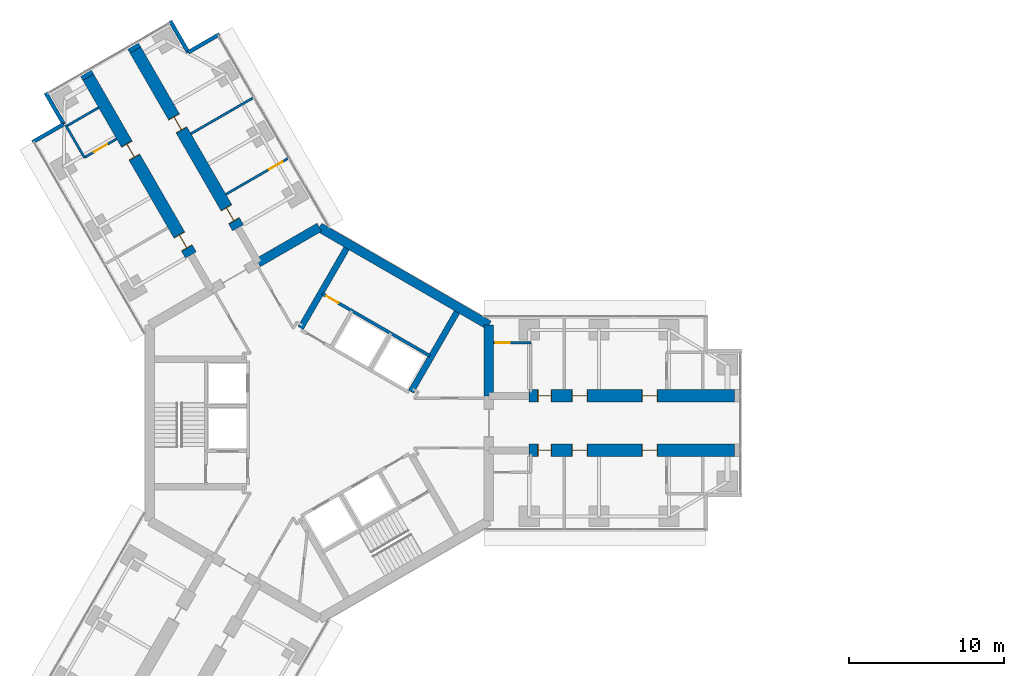
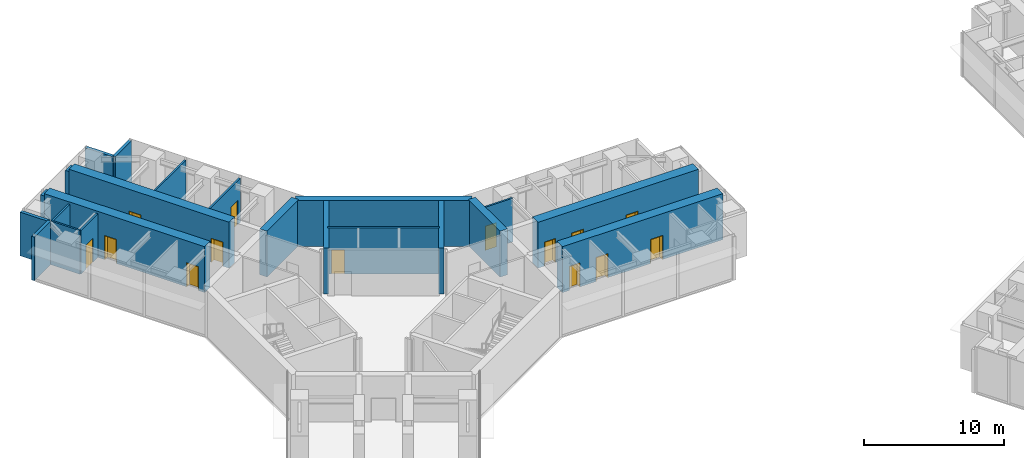
# One storey, part 17 of 22: 22 walls, 14 doors, 14 openings.
"""IFC4 building model written with IfcOpenShell, lengths in metres."""

from ifc_helpers import new_model, si_unit, direction, frame, frame_2d, origin, place, context, subcontext, project, spatial, rectangle, extrude, material, layer, layer_set, type_object, element, fill, save


model = new_model("IFC4")

# Units and contexts
model_context = context("Model", 3, precision=1e-05, world=origin(), true_north=direction((0.0, 1.0)))
body_context = subcontext(model_context, "Body", "Model", "MODEL_VIEW")
ifc_project = project(units=[si_unit("LENGTHUNIT", "METRE"), si_unit("AREAUNIT", "SQUARE_METRE"), si_unit("VOLUMEUNIT", "CUBIC_METRE"), si_unit("PLANEANGLEUNIT", "RADIAN"), si_unit("MASSUNIT", "GRAM", prefix="KILO")], contexts=[model_context])

# Site, building, storey
site_placement = place(None, origin())
site = spatial("IfcSite", under=ifc_project, at=site_placement, CompositionType="ELEMENT")
building_placement = place(site_placement, origin())
building = spatial("IfcBuilding", under=site, at=building_placement, Name="Upepo Twin Towers", CompositionType="ELEMENT")
storey_placement = place(building_placement, frame((0.0, 0.0, 129.5)))
storey = spatial("IfcBuildingStorey", under=building, at=storey_placement, Name="L31", CompositionType="ELEMENT", Elevation=129.5)

# Walls
ifc_material_1 = material(Name="Dense concrete blockwork", Category="masonry")
ifc_layer_1 = layer(ifc_material_1, 0.800048828125)
ifc_layer_set_1 = layer_set([ifc_layer_1], Name="Buttress closer 800, blockwork with fire-stopping to the curtain wall")
wall_type_1 = type_object("IfcWallType", Name="Buttress closer 800, blockwork with fire-stopping to the curtain wall", PredefinedType="PARTITIONING", material=ifc_layer_set_1)
wall_1_placement = place(storey_placement, frame((-14.865478515625, 22.247802734375, 0.0), z_axis=(0.0, 0.0, 1.0), x_axis=(-0.500426713919, 0.865778900179, 0.0)))
element("IfcWall", 1, at=wall_1_placement, inside=storey, type_object=wall_type_1, Name="T1 L31 wing B buttress closer L", PredefinedType="PARTITIONING", context=body_context, shape_type="SweptSolid", body=[
    extrude(rectangle(XDim=0.300048828125, YDim=0.800048828125, at=frame_2d((0.14990234375, 0.0))), origin(), (0.0, 0.0, 1.0), 3.800048828125),
])
wall_2_placement = place(storey_placement, frame((-11.83447265625, 23.997802734375, 0.0), z_axis=(0.0, 0.0, 1.0), x_axis=(-0.499816412211, 0.866131372301, 0.0)))
element("IfcWall", 2, at=wall_2_placement, inside=storey, type_object=wall_type_1, Name="T1 L31 wing B buttress closer R", PredefinedType="PARTITIONING", context=body_context, shape_type="SweptSolid", body=[
    extrude(rectangle(XDim=0.2998046875, YDim=0.800048828125, at=frame_2d((0.14990234375, 0.0))), origin(), (0.0, 0.0, 1.0), 3.800048828125),
])

# Wall, openings, doors
ifc_material_2 = material(Name="Concrete C60/75", Category="concrete")
ifc_layer_2 = layer(ifc_material_2, 0.800048828125)
ifc_layer_set_2 = layer_set([ifc_layer_2], Name="Concrete C60/75")
wall_type_2 = type_object("IfcWallType", Name="Buttress wall 800 RC", PredefinedType="SHEAR", material=ifc_layer_set_2)
wall_3_placement = place(storey_placement, frame((13.5, 1.75, 0.0), z_axis=(0.0, 0.0, 1.0), x_axis=(1.0, 0.0, 0.0)))
wall_3 = element("IfcWall", 3, at=wall_3_placement, inside=storey, type_object=wall_type_2, Name="T1 wing A buttress wall L part 2", PredefinedType="SHEAR", context=body_context, shape_type="SweptSolid", body=[
    extrude(rectangle(XDim=13.199951171875, YDim=0.800048828125, at=frame_2d((6.60009765625, 0.0))), origin(), (0.0, 0.0, 1.0), 4.0),
])
opening_1_placement = place(wall_3_placement, frame((0.550048828125, 0.0, 0.0)))
opening_1 = element("IfcOpeningElement", 4, at=opening_1_placement, cuts=wall_3, Name="Opening D11", PredefinedType="OPENING", context=body_context, shape_type="SweptSolid", body=[
    extrude(rectangle(XDim=0.89990234375, YDim=2.10009765625, at=frame_2d((0.449951171875, 1.050048828125))), frame((0.0, 0.409912109375, 0.0), z_axis=(0.0, -1.0, 0.0), x_axis=(1.0, 0.0, 0.0)), (0.0, 0.0, 1.0), 0.820068359375),
])
opening_2_placement = place(wall_3_placement, frame((2.75, 0.0, 0.0)))
opening_2 = element("IfcOpeningElement", 5, at=opening_2_placement, cuts=wall_3, Name="Opening D1", PredefinedType="OPENING", context=body_context, shape_type="SweptSolid", body=[
    extrude(rectangle(XDim=1.0, YDim=2.10009765625, at=frame_2d((0.5, 1.050048828125))), frame((0.0, 0.409912109375, 0.0), z_axis=(0.0, -1.0, 0.0), x_axis=(1.0, 0.0, 0.0)), (0.0, 0.0, 1.0), 0.820068359375),
])
opening_3_placement = place(wall_3_placement, frame((7.25, 0.0, 0.0)))
opening_3 = element("IfcOpeningElement", 6, at=opening_3_placement, cuts=wall_3, Name="Opening D1", PredefinedType="OPENING", context=body_context, shape_type="SweptSolid", body=[
    extrude(rectangle(XDim=1.0, YDim=2.10009765625, at=frame_2d((0.5, 1.050048828125))), frame((0.0, 0.409912109375, 0.0), z_axis=(0.0, -1.0, 0.0), x_axis=(1.0, 0.0, 0.0)), (0.0, 0.0, 1.0), 0.820068359375),
])
ifc_material_3 = material(Name="Timber doorset", Category="wood")
door_type_1 = type_object("IfcDoorType", Name="Room door 1000 FD30", OperationType="SINGLE_SWING_LEFT", PredefinedType="DOOR", material=ifc_material_3)
door_1_placement = place(opening_2_placement, origin())
door_1 = element("IfcDoor", 7, at=door_1_placement, inside=storey, type_object=door_type_1, Name="T1 L31 research laboratory door", OperationType="SINGLE_SWING_LEFT", OverallHeight=2.10009765625, OverallWidth=1.0, PredefinedType="DOOR", context=body_context, shape_type="SweptSolid", body=[
    extrude(rectangle(XDim=0.92, YDim=2.06009765625, at=frame_2d((0.5, 1.030029296875))), frame((0.0, 0.02490234375, 0.0), z_axis=(0.0, -1.0, 0.0), x_axis=(1.0, 0.0, 0.0)), (0.0, 0.0, 1.0), 0.050048828125),
    extrude(rectangle(XDim=0.04, YDim=2.10009765625, at=frame_2d((0.02001953125, 1.050048828125))), frame((0.0, 0.39990234375, 0.0), z_axis=(0.0, -1.0, 0.0), x_axis=(1.0, 0.0, 0.0)), (0.0, 0.0, 1.0), 0.799560546875),
    extrude(rectangle(XDim=0.04, YDim=2.10009765625, at=frame_2d((0.97998046875, 1.050048828125))), frame((0.0, 0.39990234375, 0.0), z_axis=(0.0, -1.0, 0.0), x_axis=(1.0, 0.0, 0.0)), (0.0, 0.0, 1.0), 0.799560546875),
    extrude(rectangle(XDim=0.92, YDim=0.04, at=frame_2d((0.5, 2.080078125))), frame((0.0, 0.39990234375, 0.0), z_axis=(0.0, -1.0, 0.0), x_axis=(1.0, 0.0, 0.0)), (0.0, 0.0, 1.0), 0.799560546875),
])
fill(opening_2, door_1)
door_2_placement = place(opening_3_placement, origin())
door_2 = element("IfcDoor", 8, at=door_2_placement, inside=storey, type_object=door_type_1, Name="T1 L31 research laboratory door", OperationType="SINGLE_SWING_RIGHT", OverallHeight=2.10009765625, OverallWidth=1.0, PredefinedType="DOOR", context=body_context, shape_type="SweptSolid", body=[
    extrude(rectangle(XDim=0.92, YDim=2.06009765625, at=frame_2d((0.5, 1.030029296875))), frame((0.0, 0.02490234375, 0.0), z_axis=(0.0, -1.0, 0.0), x_axis=(1.0, 0.0, 0.0)), (0.0, 0.0, 1.0), 0.050048828125),
    extrude(rectangle(XDim=0.04, YDim=2.10009765625, at=frame_2d((0.02001953125, 1.050048828125))), frame((0.0, 0.39990234375, 0.0), z_axis=(0.0, -1.0, 0.0), x_axis=(1.0, 0.0, 0.0)), (0.0, 0.0, 1.0), 0.799560546875),
    extrude(rectangle(XDim=0.04, YDim=2.10009765625, at=frame_2d((0.97998046875, 1.050048828125))), frame((0.0, 0.39990234375, 0.0), z_axis=(0.0, -1.0, 0.0), x_axis=(1.0, 0.0, 0.0)), (0.0, 0.0, 1.0), 0.799560546875),
    extrude(rectangle(XDim=0.92, YDim=0.04, at=frame_2d((0.5, 2.080078125))), frame((0.0, 0.39990234375, 0.0), z_axis=(0.0, -1.0, 0.0), x_axis=(1.0, 0.0, 0.0)), (0.0, 0.0, 1.0), 0.799560546875),
])
fill(opening_3, door_2)
ifc_material_4 = material(Name="Timber doorset", Category="wood")
door_type_2 = type_object("IfcDoorType", Name="Toilet door 900", OperationType="SINGLE_SWING_LEFT", PredefinedType="DOOR", material=ifc_material_4)
door_3_placement = place(opening_1_placement, origin())
door_3 = element("IfcDoor", 9, at=door_3_placement, inside=storey, type_object=door_type_2, Name="T1 L31 accessible wc door", OperationType="SINGLE_SWING_LEFT", OverallHeight=2.10009765625, OverallWidth=0.89990234375, PredefinedType="DOOR", context=body_context, shape_type="SweptSolid", body=[
    extrude(rectangle(XDim=0.81990234375, YDim=2.06009765625, at=frame_2d((0.449951171875, 1.030029296875))), frame((0.0, 0.02490234375, 0.0), z_axis=(0.0, -1.0, 0.0), x_axis=(1.0, 0.0, 0.0)), (0.0, 0.0, 1.0), 0.050048828125),
    extrude(rectangle(XDim=0.04, YDim=2.10009765625, at=frame_2d((0.02001953125, 1.050048828125))), frame((0.0, 0.39990234375, 0.0), z_axis=(0.0, -1.0, 0.0), x_axis=(1.0, 0.0, 0.0)), (0.0, 0.0, 1.0), 0.799560546875),
    extrude(rectangle(XDim=0.04, YDim=2.10009765625, at=frame_2d((0.8798828125, 1.050048828125))), frame((0.0, 0.39990234375, 0.0), z_axis=(0.0, -1.0, 0.0), x_axis=(1.0, 0.0, 0.0)), (0.0, 0.0, 1.0), 0.799560546875),
    extrude(rectangle(XDim=0.81990234375, YDim=0.04, at=frame_2d((0.449951171875, 2.080078125))), frame((0.0, 0.39990234375, 0.0), z_axis=(0.0, -1.0, 0.0), x_axis=(1.0, 0.0, 0.0)), (0.0, 0.0, 1.0), 0.799560546875),
])
fill(opening_1, door_3)

wall_4_placement = place(storey_placement, frame((13.5, -1.75, 0.0), z_axis=(0.0, 0.0, 1.0), x_axis=(1.0, 0.0, 0.0)))
wall_4 = element("IfcWall", 10, at=wall_4_placement, inside=storey, type_object=wall_type_2, Name="T1 wing A buttress wall R part 2", PredefinedType="SHEAR", context=body_context, shape_type="SweptSolid", body=[
    extrude(rectangle(XDim=13.199951171875, YDim=0.800048828125, at=frame_2d((6.60009765625, 0.0))), origin(), (0.0, 0.0, 1.0), 4.0),
])
opening_4_placement = place(wall_4_placement, frame((0.550048828125, 0.0, 0.0)))
opening_4 = element("IfcOpeningElement", 11, at=opening_4_placement, cuts=wall_4, Name="Opening D11", PredefinedType="OPENING", context=body_context, shape_type="SweptSolid", body=[
    extrude(rectangle(XDim=0.89990234375, YDim=2.10009765625, at=frame_2d((0.449951171875, 1.050048828125))), frame((0.0, 0.409912109375, 0.0), z_axis=(0.0, -1.0, 0.0), x_axis=(1.0, 0.0, 0.0)), (0.0, 0.0, 1.0), 0.820068359375),
])
opening_5_placement = place(wall_4_placement, frame((2.75, 0.0, 0.0)))
opening_5 = element("IfcOpeningElement", 12, at=opening_5_placement, cuts=wall_4, Name="Opening D1", PredefinedType="OPENING", context=body_context, shape_type="SweptSolid", body=[
    extrude(rectangle(XDim=1.0, YDim=2.10009765625, at=frame_2d((0.5, 1.050048828125))), frame((0.0, 0.409912109375, 0.0), z_axis=(0.0, -1.0, 0.0), x_axis=(1.0, 0.0, 0.0)), (0.0, 0.0, 1.0), 0.820068359375),
])
opening_6_placement = place(wall_4_placement, frame((7.25, 0.0, 0.0)))
opening_6 = element("IfcOpeningElement", 13, at=opening_6_placement, cuts=wall_4, Name="Opening D1", PredefinedType="OPENING", context=body_context, shape_type="SweptSolid", body=[
    extrude(rectangle(XDim=1.0, YDim=2.10009765625, at=frame_2d((0.5, 1.050048828125))), frame((0.0, 0.409912109375, 0.0), z_axis=(0.0, -1.0, 0.0), x_axis=(1.0, 0.0, 0.0)), (0.0, 0.0, 1.0), 0.820068359375),
])
door_4_placement = place(opening_5_placement, origin())
door_4 = element("IfcDoor", 14, at=door_4_placement, inside=storey, type_object=door_type_1, Name="T1 L31 research laboratory door", OperationType="SINGLE_SWING_LEFT", OverallHeight=2.10009765625, OverallWidth=1.0, PredefinedType="DOOR", context=body_context, shape_type="SweptSolid", body=[
    extrude(rectangle(XDim=0.92, YDim=2.06009765625, at=frame_2d((0.5, 1.030029296875))), frame((0.0, 0.02490234375, 0.0), z_axis=(0.0, -1.0, 0.0), x_axis=(1.0, 0.0, 0.0)), (0.0, 0.0, 1.0), 0.050048828125),
    extrude(rectangle(XDim=0.04, YDim=2.10009765625, at=frame_2d((0.02001953125, 1.050048828125))), frame((0.0, 0.39990234375, 0.0), z_axis=(0.0, -1.0, 0.0), x_axis=(1.0, 0.0, 0.0)), (0.0, 0.0, 1.0), 0.799560546875),
    extrude(rectangle(XDim=0.04, YDim=2.10009765625, at=frame_2d((0.97998046875, 1.050048828125))), frame((0.0, 0.39990234375, 0.0), z_axis=(0.0, -1.0, 0.0), x_axis=(1.0, 0.0, 0.0)), (0.0, 0.0, 1.0), 0.799560546875),
    extrude(rectangle(XDim=0.92, YDim=0.04, at=frame_2d((0.5, 2.080078125))), frame((0.0, 0.39990234375, 0.0), z_axis=(0.0, -1.0, 0.0), x_axis=(1.0, 0.0, 0.0)), (0.0, 0.0, 1.0), 0.799560546875),
])
fill(opening_5, door_4)
door_5_placement = place(opening_6_placement, origin())
door_5 = element("IfcDoor", 15, at=door_5_placement, inside=storey, type_object=door_type_1, Name="T1 L31 research laboratory door", OperationType="SINGLE_SWING_RIGHT", OverallHeight=2.10009765625, OverallWidth=1.0, PredefinedType="DOOR", context=body_context, shape_type="SweptSolid", body=[
    extrude(rectangle(XDim=0.92, YDim=2.06009765625, at=frame_2d((0.5, 1.030029296875))), frame((0.0, 0.02490234375, 0.0), z_axis=(0.0, -1.0, 0.0), x_axis=(1.0, 0.0, 0.0)), (0.0, 0.0, 1.0), 0.050048828125),
    extrude(rectangle(XDim=0.04, YDim=2.10009765625, at=frame_2d((0.02001953125, 1.050048828125))), frame((0.0, 0.39990234375, 0.0), z_axis=(0.0, -1.0, 0.0), x_axis=(1.0, 0.0, 0.0)), (0.0, 0.0, 1.0), 0.799560546875),
    extrude(rectangle(XDim=0.04, YDim=2.10009765625, at=frame_2d((0.97998046875, 1.050048828125))), frame((0.0, 0.39990234375, 0.0), z_axis=(0.0, -1.0, 0.0), x_axis=(1.0, 0.0, 0.0)), (0.0, 0.0, 1.0), 0.799560546875),
    extrude(rectangle(XDim=0.92, YDim=0.04, at=frame_2d((0.5, 2.080078125))), frame((0.0, 0.39990234375, 0.0), z_axis=(0.0, -1.0, 0.0), x_axis=(1.0, 0.0, 0.0)), (0.0, 0.0, 1.0), 0.799560546875),
])
fill(opening_6, door_5)
door_6_placement = place(opening_4_placement, origin())
door_6 = element("IfcDoor", 16, at=door_6_placement, inside=storey, type_object=door_type_2, Name="T1 L31 toilets door", OperationType="SINGLE_SWING_LEFT", OverallHeight=2.10009765625, OverallWidth=0.89990234375, PredefinedType="DOOR", context=body_context, shape_type="SweptSolid", body=[
    extrude(rectangle(XDim=0.81990234375, YDim=2.06009765625, at=frame_2d((0.449951171875, 1.030029296875))), frame((0.0, 0.02490234375, 0.0), z_axis=(0.0, -1.0, 0.0), x_axis=(1.0, 0.0, 0.0)), (0.0, 0.0, 1.0), 0.050048828125),
    extrude(rectangle(XDim=0.04, YDim=2.10009765625, at=frame_2d((0.02001953125, 1.050048828125))), frame((0.0, 0.39990234375, 0.0), z_axis=(0.0, -1.0, 0.0), x_axis=(1.0, 0.0, 0.0)), (0.0, 0.0, 1.0), 0.799560546875),
    extrude(rectangle(XDim=0.04, YDim=2.10009765625, at=frame_2d((0.8798828125, 1.050048828125))), frame((0.0, 0.39990234375, 0.0), z_axis=(0.0, -1.0, 0.0), x_axis=(1.0, 0.0, 0.0)), (0.0, 0.0, 1.0), 0.799560546875),
    extrude(rectangle(XDim=0.81990234375, YDim=0.04, at=frame_2d((0.449951171875, 2.080078125))), frame((0.0, 0.39990234375, 0.0), z_axis=(0.0, -1.0, 0.0), x_axis=(1.0, 0.0, 0.0)), (0.0, 0.0, 1.0), 0.799560546875),
])
fill(opening_4, door_6)

wall_5_placement = place(storey_placement, frame((-8.265625, 10.81640625, 0.0), z_axis=(0.0, 0.0, 1.0), x_axis=(-0.499996231654, 0.866027579429, 0.0)))
wall_5 = element("IfcWall", 17, at=wall_5_placement, inside=storey, type_object=wall_type_2, Name="T1 wing B buttress wall L part 2", PredefinedType="SHEAR", context=body_context, shape_type="SweptSolid", body=[
    extrude(rectangle(XDim=13.19970703125, YDim=0.800048828125, at=frame_2d((6.599853515625, 0.0))), origin(), (0.0, 0.0, 1.0), 4.0),
])
opening_7_placement = place(wall_5_placement, frame((0.5, 0.0, 0.0)))
opening_7 = element("IfcOpeningElement", 18, at=opening_7_placement, cuts=wall_5, Name="Opening D1", PredefinedType="OPENING", context=body_context, shape_type="SweptSolid", body=[
    extrude(rectangle(XDim=1.0, YDim=2.10009765625, at=frame_2d((0.5, 1.050048828125))), frame((0.0, 0.409912109375, 0.0), z_axis=(0.0, -1.0, 0.0), x_axis=(1.0, 0.0, 0.0)), (0.0, 0.0, 1.0), 0.820068359375),
])
opening_8_placement = place(wall_5_placement, frame((7.25, 0.0, 0.0)))
opening_8 = element("IfcOpeningElement", 19, at=opening_8_placement, cuts=wall_5, Name="Opening D1", PredefinedType="OPENING", context=body_context, shape_type="SweptSolid", body=[
    extrude(rectangle(XDim=1.0, YDim=2.10009765625, at=frame_2d((0.5, 1.050048828125))), frame((0.0, 0.409912109375, 0.0), z_axis=(0.0, -1.0, 0.0), x_axis=(1.0, 0.0, 0.0)), (0.0, 0.0, 1.0), 0.820068359375),
])
door_7_placement = place(opening_7_placement, origin())
door_7 = element("IfcDoor", 20, at=door_7_placement, inside=storey, type_object=door_type_1, Name="T1 L31 seminar room door", OperationType="SINGLE_SWING_LEFT", OverallHeight=2.10009765625, OverallWidth=1.0, PredefinedType="DOOR", context=body_context, shape_type="SweptSolid", body=[
    extrude(rectangle(XDim=0.92, YDim=2.06009765625, at=frame_2d((0.5, 1.030029296875))), frame((0.0, 0.02490234375, 0.0), z_axis=(0.0, -1.0, 0.0), x_axis=(1.0, 0.0, 0.0)), (0.0, 0.0, 1.0), 0.050048828125),
    extrude(rectangle(XDim=0.04, YDim=2.10009765625, at=frame_2d((0.02001953125, 1.050048828125))), frame((0.0, 0.39990234375, 0.0), z_axis=(0.0, -1.0, 0.0), x_axis=(1.0, 0.0, 0.0)), (0.0, 0.0, 1.0), 0.799560546875),
    extrude(rectangle(XDim=0.04, YDim=2.10009765625, at=frame_2d((0.97998046875, 1.050048828125))), frame((0.0, 0.39990234375, 0.0), z_axis=(0.0, -1.0, 0.0), x_axis=(1.0, 0.0, 0.0)), (0.0, 0.0, 1.0), 0.799560546875),
    extrude(rectangle(XDim=0.92, YDim=0.04, at=frame_2d((0.5, 2.080078125))), frame((0.0, 0.39990234375, 0.0), z_axis=(0.0, -1.0, 0.0), x_axis=(1.0, 0.0, 0.0)), (0.0, 0.0, 1.0), 0.799560546875),
])
fill(opening_7, door_7)
door_8_placement = place(opening_8_placement, origin())
door_8 = element("IfcDoor", 21, at=door_8_placement, inside=storey, type_object=door_type_1, Name="T1 L31 research laboratory door", OperationType="SINGLE_SWING_RIGHT", OverallHeight=2.10009765625, OverallWidth=1.0, PredefinedType="DOOR", context=body_context, shape_type="SweptSolid", body=[
    extrude(rectangle(XDim=0.92, YDim=2.06009765625, at=frame_2d((0.5, 1.030029296875))), frame((0.0, 0.02490234375, 0.0), z_axis=(0.0, -1.0, 0.0), x_axis=(1.0, 0.0, 0.0)), (0.0, 0.0, 1.0), 0.050048828125),
    extrude(rectangle(XDim=0.04, YDim=2.10009765625, at=frame_2d((0.02001953125, 1.050048828125))), frame((0.0, 0.39990234375, 0.0), z_axis=(0.0, -1.0, 0.0), x_axis=(1.0, 0.0, 0.0)), (0.0, 0.0, 1.0), 0.799560546875),
    extrude(rectangle(XDim=0.04, YDim=2.10009765625, at=frame_2d((0.97998046875, 1.050048828125))), frame((0.0, 0.39990234375, 0.0), z_axis=(0.0, -1.0, 0.0), x_axis=(1.0, 0.0, 0.0)), (0.0, 0.0, 1.0), 0.799560546875),
    extrude(rectangle(XDim=0.92, YDim=0.04, at=frame_2d((0.5, 2.080078125))), frame((0.0, 0.39990234375, 0.0), z_axis=(0.0, -1.0, 0.0), x_axis=(1.0, 0.0, 0.0)), (0.0, 0.0, 1.0), 0.799560546875),
])
fill(opening_8, door_8)

wall_6_placement = place(storey_placement, frame((-5.234375, 12.56640625, 0.0), z_axis=(0.0, 0.0, 1.0), x_axis=(-0.500010103361, 0.866019570528, 0.0)))
wall_6 = element("IfcWall", 22, at=wall_6_placement, inside=storey, type_object=wall_type_2, Name="T1 wing B buttress wall R part 2", PredefinedType="SHEAR", context=body_context, shape_type="SweptSolid", body=[
    extrude(rectangle(XDim=13.199951171875, YDim=0.800048828125, at=frame_2d((6.60009765625, 0.0))), origin(), (0.0, 0.0, 1.0), 4.0),
])
opening_9_placement = place(wall_6_placement, frame((0.5, 0.0, 0.0)))
opening_9 = element("IfcOpeningElement", 23, at=opening_9_placement, cuts=wall_6, Name="Opening D1", PredefinedType="OPENING", context=body_context, shape_type="SweptSolid", body=[
    extrude(rectangle(XDim=1.0, YDim=2.10009765625, at=frame_2d((0.5, 1.050048828125))), frame((0.0, 0.409912109375, 0.0), z_axis=(0.0, -1.0, 0.0), x_axis=(1.0, 0.0, 0.0)), (0.0, 0.0, 1.0), 0.820068359375),
])
opening_10_placement = place(wall_6_placement, frame((7.25, 0.0, 0.0)))
opening_10 = element("IfcOpeningElement", 24, at=opening_10_placement, cuts=wall_6, Name="Opening D1", PredefinedType="OPENING", context=body_context, shape_type="SweptSolid", body=[
    extrude(rectangle(XDim=1.0, YDim=2.10009765625, at=frame_2d((0.5, 1.050048828125))), frame((0.0, 0.409912109375, 0.0), z_axis=(0.0, -1.0, 0.0), x_axis=(1.0, 0.0, 0.0)), (0.0, 0.0, 1.0), 0.820068359375),
])
door_9_placement = place(opening_9_placement, origin())
door_9 = element("IfcDoor", 25, at=door_9_placement, inside=storey, type_object=door_type_1, Name="T1 L31 staff office door", OperationType="SINGLE_SWING_LEFT", OverallHeight=2.10009765625, OverallWidth=1.0, PredefinedType="DOOR", context=body_context, shape_type="SweptSolid", body=[
    extrude(rectangle(XDim=0.92, YDim=2.06009765625, at=frame_2d((0.5, 1.030029296875))), frame((0.0, 0.02490234375, 0.0), z_axis=(0.0, -1.0, 0.0), x_axis=(1.0, 0.0, 0.0)), (0.0, 0.0, 1.0), 0.050048828125),
    extrude(rectangle(XDim=0.04, YDim=2.10009765625, at=frame_2d((0.02001953125, 1.050048828125))), frame((0.0, 0.39990234375, 0.0), z_axis=(0.0, -1.0, 0.0), x_axis=(1.0, 0.0, 0.0)), (0.0, 0.0, 1.0), 0.799560546875),
    extrude(rectangle(XDim=0.04, YDim=2.10009765625, at=frame_2d((0.97998046875, 1.050048828125))), frame((0.0, 0.39990234375, 0.0), z_axis=(0.0, -1.0, 0.0), x_axis=(1.0, 0.0, 0.0)), (0.0, 0.0, 1.0), 0.799560546875),
    extrude(rectangle(XDim=0.92, YDim=0.04, at=frame_2d((0.5, 2.080078125))), frame((0.0, 0.39990234375, 0.0), z_axis=(0.0, -1.0, 0.0), x_axis=(1.0, 0.0, 0.0)), (0.0, 0.0, 1.0), 0.799560546875),
])
fill(opening_9, door_9)
door_10_placement = place(opening_10_placement, origin())
door_10 = element("IfcDoor", 26, at=door_10_placement, inside=storey, type_object=door_type_1, Name="T1 L31 computing laboratory door", OperationType="SINGLE_SWING_RIGHT", OverallHeight=2.10009765625, OverallWidth=1.0, PredefinedType="DOOR", context=body_context, shape_type="SweptSolid", body=[
    extrude(rectangle(XDim=0.92, YDim=2.06009765625, at=frame_2d((0.5, 1.030029296875))), frame((0.0, 0.02490234375, 0.0), z_axis=(0.0, -1.0, 0.0), x_axis=(1.0, 0.0, 0.0)), (0.0, 0.0, 1.0), 0.050048828125),
    extrude(rectangle(XDim=0.04, YDim=2.10009765625, at=frame_2d((0.02001953125, 1.050048828125))), frame((0.0, 0.39990234375, 0.0), z_axis=(0.0, -1.0, 0.0), x_axis=(1.0, 0.0, 0.0)), (0.0, 0.0, 1.0), 0.799560546875),
    extrude(rectangle(XDim=0.04, YDim=2.10009765625, at=frame_2d((0.97998046875, 1.050048828125))), frame((0.0, 0.39990234375, 0.0), z_axis=(0.0, -1.0, 0.0), x_axis=(1.0, 0.0, 0.0)), (0.0, 0.0, 1.0), 0.799560546875),
    extrude(rectangle(XDim=0.92, YDim=0.04, at=frame_2d((0.5, 2.080078125))), frame((0.0, 0.39990234375, 0.0), z_axis=(0.0, -1.0, 0.0), x_axis=(1.0, 0.0, 0.0)), (0.0, 0.0, 1.0), 0.799560546875),
])
fill(opening_10, door_10)

# Walls
ifc_material_5 = material(Name="Concrete C60/75", Category="concrete")
ifc_layer_3 = layer(ifc_material_5, 0.60009765625)
ifc_layer_set_3 = layer_set([ifc_layer_3], Name="Concrete C60/75")
wall_type_3 = type_object("IfcWallType", Name="Core wall 600 RC", PredefinedType="SHEAR", material=ifc_layer_set_3)
wall_7_placement = place(storey_placement, frame((10.908447265625, 1.75, 0.0), z_axis=(0.0, 0.0, 1.0), x_axis=(0.0, 1.0, 0.0)))
element("IfcWall", 27, at=wall_7_placement, inside=storey, type_object=wall_type_3, Name="T1 core wall 000 L", PredefinedType="SHEAR", context=body_context, shape_type="SweptSolid", body=[
    extrude(rectangle(XDim=4.5478515625, YDim=0.60009765625, at=frame_2d((2.27392578125, 0.0))), origin(), (0.0, 0.0, 1.0), 4.0),
])
wall_8_placement = place(storey_placement, frame((10.908447265625, 6.2978515625, 0.0), z_axis=(0.0, 0.0, 1.0), x_axis=(-0.866021940709, 0.500005998175, 0.0)))
element("IfcWall", 28, at=wall_8_placement, inside=storey, type_object=wall_type_3, Name="T1 core wall 060", PredefinedType="SHEAR", context=body_context, shape_type="SweptSolid", body=[
    extrude(rectangle(XDim=12.595947265625, YDim=0.60009765625, at=frame_2d((6.2978515625, 0.0))), origin(), (0.0, 0.0, 1.0), 4.0),
])
wall_9_placement = place(storey_placement, frame((0.0, 12.595947265625, 0.0), z_axis=(0.0, 0.0, 1.0), x_axis=(-0.866011268655, -0.500024481964, 0.0)))
element("IfcWall", 29, at=wall_9_placement, inside=storey, type_object=wall_type_3, Name="T1 core wall 120 R", PredefinedType="SHEAR", context=body_context, shape_type="SweptSolid", body=[
    extrude(rectangle(XDim=4.548095703125, YDim=0.60009765625, at=frame_2d((2.27392578125, 0.0))), origin(), (0.0, 0.0, 1.0), 4.0),
])
ifc_material_6 = material(Name="Blockwork with anodised aluminium cladding", Category="masonry")
ifc_layer_4 = layer(ifc_material_6, 0.25)
ifc_layer_set_4 = layer_set([ifc_layer_4], Name="Notch cladding wall 250, pale metal")
wall_type_4 = type_object("IfcWallType", Name="Notch cladding wall 250, pale metal", PredefinedType="STANDARD", material=ifc_layer_set_4)
for number, where, z_axis, x_axis, name in (
    (30, (-18.456298828125, 18.0673828125, 0.0), (0.0, 0.0, 1.0), (0.865998469481, 0.500046648681, 0.0), "T1 L31 wing B notch wall L1"),
    (31, (-16.44287109375, 19.22998046875, 0.0), (0.0, 0.0, 1.0), (-0.500046648681, 0.865998469481, 0.0), "T1 L31 wing B notch wall L2"),
    (32, (-6.418701171875, 25.017333984375, 0.0), (0.0, 0.0, 1.0), (-0.866043940782, -0.499967891604, 0.0), "T1 L31 wing B notch wall R1"),
    (33, (-8.43212890625, 23.85498046875, 0.0), (0.0, 0.0, 1.0), (-0.500046648681, 0.865998469481, 0.0), "T1 L31 wing B notch wall R2"),
):
    element("IfcWall", number, at=place(storey_placement, frame(where, z_axis=z_axis, x_axis=x_axis)), inside=storey, type_object=wall_type_4, Name=name, PredefinedType="STANDARD", context=body_context, shape_type="SweptSolid", body=[
        extrude(rectangle(XDim=2.324951171875, YDim=0.25, at=frame_2d((1.16259765625, 0.0))), origin(), (0.0, 0.0, 1.0), 3.800048828125),
    ])

# Wall, opening, door
ifc_material_7 = material(Name="Concrete C40/50", Category="concrete")
ifc_layer_5 = layer(ifc_material_7, 0.199951171875)
ifc_layer_set_5 = layer_set([ifc_layer_5], Name="Concrete C40/50")
wall_type_5 = type_object("IfcWallType", Name="Shaft wall 200 RC", PredefinedType="SHEAR", material=ifc_layer_set_5)
wall_10_placement = place(storey_placement, frame((7.114013671875, 4.322021484375, 0.0), z_axis=(0.0, 0.0, 1.0), x_axis=(-0.866026010844, 0.49999894854, 0.0)))
wall_10 = element("IfcWall", 34, at=wall_10_placement, inside=storey, type_object=wall_type_5, Name="T1 core W60 stair wall", PredefinedType="SHEAR", context=body_context, shape_type="SweptSolid", body=[
    extrude(rectangle(XDim=8.0, YDim=0.199951171875, at=frame_2d((4.0, 0.0))), origin(), (0.0, 0.0, 1.0), 4.0),
])
opening_11_placement = place(wall_10_placement, frame((6.800048828125, 0.0, 0.0)))
opening_11 = element("IfcOpeningElement", 35, at=opening_11_placement, cuts=wall_10, Name="Opening D9", PredefinedType="OPENING", context=body_context, shape_type="SweptSolid", body=[
    extrude(rectangle(XDim=0.89990234375, YDim=2.10009765625, at=frame_2d((0.449951171875, 1.050048828125))), frame((0.0, 0.10986328125, 0.0), z_axis=(0.0, -1.0, 0.0), x_axis=(1.0, 0.0, 0.0)), (0.0, 0.0, 1.0), 0.219970703125),
])
ifc_material_8 = material(Name="Timber doorset", Category="wood")
door_type_3 = type_object("IfcDoorType", Name="Riser door 900 FD60", OperationType="SINGLE_SWING_LEFT", PredefinedType="DOOR", material=ifc_material_8)
door_11_placement = place(opening_11_placement, origin())
door_11 = element("IfcDoor", 36, at=door_11_placement, inside=storey, type_object=door_type_3, Name="T1 L31 riser door", OperationType="SINGLE_SWING_RIGHT", OverallHeight=2.10009765625, OverallWidth=0.89990234375, PredefinedType="DOOR", context=body_context, shape_type="SweptSolid", body=[
    extrude(rectangle(XDim=0.89990234375, YDim=2.10009765625, at=frame_2d((0.449951171875, 1.050048828125))), frame((0.0, 0.02490234375, 0.0), z_axis=(0.0, -1.0, 0.0), x_axis=(1.0, 0.0, 0.0)), (0.0, 0.0, 1.0), 0.050048828125),
])
fill(opening_11, door_11)

# Walls
ifc_material_9 = material(Name="Concrete C40/50", Category="concrete")
ifc_layer_6 = layer(ifc_material_9, 0.39990234375)
ifc_layer_set_6 = layer_set([ifc_layer_6], Name="Concrete C40/50")
wall_type_6 = type_object("IfcWallType", Name="Shaft wall 400 RC", PredefinedType="SHEAR", material=ifc_layer_set_6)
wall_11_placement = place(storey_placement, frame((-1.20068359375, 6.120361328125, 0.0), z_axis=(0.0, 0.0, 1.0), x_axis=(0.49999668571, 0.866027317282, 0.0)))
element("IfcWall", 37, at=wall_11_placement, inside=storey, type_object=wall_type_6, Name="T1 core W60 side wall N", PredefinedType="SHEAR", context=body_context, shape_type="SweptSolid", body=[
    extrude(rectangle(XDim=5.908203125, YDim=0.39990234375, at=frame_2d((2.9541015625, 0.0))), origin(), (0.0, 0.0, 1.0), 4.0),
])
wall_12_placement = place(storey_placement, frame((5.900634765625, 2.020263671875, 0.0), z_axis=(0.0, 0.0, 1.0), x_axis=(0.500027676417, 0.866009424208, 0.0)))
element("IfcWall", 38, at=wall_12_placement, inside=storey, type_object=wall_type_6, Name="T1 core W60 side wall S", PredefinedType="SHEAR", context=body_context, shape_type="SweptSolid", body=[
    extrude(rectangle(XDim=5.908447265625, YDim=0.39990234375, at=frame_2d((2.9541015625, 0.0))), origin(), (0.0, 0.0, 1.0), 4.0),
])

# Wall, opening, door
ifc_material_10 = material(Name="Gypsum board on steel studs", Category="steel")
ifc_layer_7 = layer(ifc_material_10, 0.14990234375)
ifc_layer_set_7 = layer_set([ifc_layer_7], Name="Teaching partition 150 acoustic")
wall_type_7 = type_object("IfcWallType", Name="Teaching partition 150 acoustic", PredefinedType="PARTITIONING", material=ifc_layer_set_7)
wall_13_placement = place(storey_placement, frame((11.2080078125, 5.175048828125, 0.0), z_axis=(0.0, 0.0, 1.0), x_axis=(1.0, 0.0, 0.0)))
wall_13 = element("IfcWall", 39, at=wall_13_placement, inside=storey, type_object=wall_type_7, Name="T1 WC bay partition AL at 11.21", PredefinedType="PARTITIONING", context=body_context, shape_type="SweptSolid", body=[
    extrude(rectangle(XDim=2.39990234375, YDim=0.14990234375, at=frame_2d((1.199951171875, 0.0))), origin(), (0.0, 0.0, 1.0), 3.800048828125),
])
opening_12_placement = place(wall_13_placement, frame((0.14990234375, 0.0, 0.0)))
opening_12 = element("IfcOpeningElement", 40, at=opening_12_placement, cuts=wall_13, Name="Opening D14", PredefinedType="OPENING", context=body_context, shape_type="SweptSolid", body=[
    extrude(rectangle(XDim=0.89990234375, YDim=2.10009765625, at=frame_2d((0.449951171875, 1.050048828125))), frame((0.0, 0.0849609375, 0.0), z_axis=(0.0, -1.0, 0.0), x_axis=(1.0, 0.0, 0.0)), (0.0, 0.0, 1.0), 0.169921875),
])
ifc_material_11 = material(Name="Timber doorset", Category="wood")
door_type_4 = type_object("IfcDoorType", Name="Office door 900 FD30", OperationType="SINGLE_SWING_LEFT", PredefinedType="DOOR", material=ifc_material_11)
door_12_placement = place(opening_12_placement, origin())
door_12 = element("IfcDoor", 41, at=door_12_placement, inside=storey, type_object=door_type_4, Name="T1 L31 WC bay inner room door", OperationType="SINGLE_SWING_LEFT", OverallHeight=2.10009765625, OverallWidth=0.89990234375, PredefinedType="DOOR", context=body_context, shape_type="SweptSolid", body=[
    extrude(rectangle(XDim=0.89990234375, YDim=2.10009765625, at=frame_2d((0.449951171875, 1.050048828125))), frame((0.0, 0.02490234375, 0.0), z_axis=(0.0, -1.0, 0.0), x_axis=(1.0, 0.0, 0.0)), (0.0, 0.0, 1.0), 0.050048828125),
])
fill(opening_12, door_12)

# Wall
wall_14_placement = place(storey_placement, frame((-15.115478515625, 17.08056640625, 0.0), z_axis=(0.0, 0.0, 1.0), x_axis=(-0.499957262057, 0.866050077142, 0.0)))
element("IfcWall", 42, at=wall_14_placement, inside=storey, type_object=wall_type_7, Name="T1 inner room partition BL at 22.35", PredefinedType="PARTITIONING", context=body_context, shape_type="SweptSolid", body=[
    extrude(rectangle(XDim=2.400146484375, YDim=0.14990234375, at=frame_2d((1.2001953125, 0.0))), origin(), (0.0, 0.0, 1.0), 3.800048828125),
])

# Wall, opening, door
wall_15_placement = place(storey_placement, frame((-13.036865234375, 18.28076171875, 0.0), z_axis=(0.0, 0.0, 1.0), x_axis=(-0.866006032174, -0.500033551112, 0.0)))
wall_15 = element("IfcWall", 43, at=wall_15_placement, inside=storey, type_object=wall_type_7, Name="T1 inner room partition BL end at 22.35", PredefinedType="PARTITIONING", context=body_context, shape_type="SweptSolid", body=[
    extrude(rectangle(XDim=2.400146484375, YDim=0.14990234375, at=frame_2d((1.2001953125, 0.0))), origin(), (0.0, 0.0, 1.0), 3.800048828125),
])
opening_13_placement = place(wall_15_placement, frame((0.699951171875, 0.0, 0.0)))
opening_13 = element("IfcOpeningElement", 44, at=opening_13_placement, cuts=wall_15, Name="Opening D1", PredefinedType="OPENING", context=body_context, shape_type="SweptSolid", body=[
    extrude(rectangle(XDim=1.0, YDim=2.10009765625, at=frame_2d((0.5, 1.050048828125))), frame((0.0, 0.0849609375, 0.0), z_axis=(0.0, -1.0, 0.0), x_axis=(1.0, 0.0, 0.0)), (0.0, 0.0, 1.0), 0.169921875),
])
door_13_placement = place(opening_13_placement, origin())
door_13 = element("IfcDoor", 45, at=door_13_placement, inside=storey, type_object=door_type_1, Name="T1 L31 inner room door", OperationType="SINGLE_SWING_LEFT", OverallHeight=2.10009765625, OverallWidth=1.0, PredefinedType="DOOR", context=body_context, shape_type="SweptSolid", body=[
    extrude(rectangle(XDim=1.0, YDim=2.10009765625, at=frame_2d((0.5, 1.050048828125))), frame((0.0, 0.02490234375, 0.0), z_axis=(0.0, -1.0, 0.0), x_axis=(1.0, 0.0, 0.0)), (0.0, 0.0, 1.0), 0.050048828125),
])
fill(opening_13, door_13)

# Wall
wall_16_placement = place(storey_placement, frame((-14.199462890625, 20.294189453125, 0.0), z_axis=(0.0, 0.0, 1.0), x_axis=(-0.866024647952, -0.500001309137, 0.0)))
element("IfcWall", 46, at=wall_16_placement, inside=storey, type_object=wall_type_7, Name="T1 inner room partition BL end at 24.75", PredefinedType="PARTITIONING", context=body_context, shape_type="SweptSolid", body=[
    extrude(rectangle(XDim=2.39990234375, YDim=0.14990234375, at=frame_2d((1.199951171875, 0.0))), origin(), (0.0, 0.0, 1.0), 3.800048828125),
])

# Wall, opening, door
wall_17_placement = place(storey_placement, frame((-6.012939453125, 14.71484375, 0.0), z_axis=(0.0, 0.0, 1.0), x_axis=(0.866016770315, 0.500014953309, 0.0)))
wall_17 = element("IfcWall", 47, at=wall_17_placement, inside=storey, type_object=wall_type_7, Name="T1 partition BR at 15.75", PredefinedType="PARTITIONING", context=body_context, shape_type="SweptSolid", body=[
    extrude(rectangle(XDim=4.599853515625, YDim=0.14990234375, at=frame_2d((2.2998046875, 0.0))), origin(), (0.0, 0.0, 1.0), 3.800048828125),
])
opening_14_placement = place(wall_17_placement, frame((3.199951171875, 0.0, 0.0)))
opening_14 = element("IfcOpeningElement", 48, at=opening_14_placement, cuts=wall_17, Name="Opening D1", PredefinedType="OPENING", context=body_context, shape_type="SweptSolid", body=[
    extrude(rectangle(XDim=1.0, YDim=2.10009765625, at=frame_2d((0.5, 1.050048828125))), frame((0.0, 0.0849609375, 0.0), z_axis=(0.0, -1.0, 0.0), x_axis=(1.0, 0.0, 0.0)), (0.0, 0.0, 1.0), 0.169921875),
])
door_14_placement = place(opening_14_placement, origin())
door_14 = element("IfcDoor", 49, at=door_14_placement, inside=storey, type_object=door_type_1, Name="T1 L31 connecting door", OperationType="SINGLE_SWING_RIGHT", OverallHeight=2.10009765625, OverallWidth=1.0, PredefinedType="DOOR", context=body_context, shape_type="SweptSolid", body=[
    extrude(rectangle(XDim=1.0, YDim=2.10009765625, at=frame_2d((0.5, 1.050048828125))), frame((0.0, 0.02490234375, 0.0), z_axis=(0.0, -1.0, 0.0), x_axis=(1.0, 0.0, 0.0)), (0.0, 0.0, 1.0), 0.050048828125),
])
fill(opening_14, door_14)

# Wall
wall_18_placement = place(storey_placement, frame((-8.262939453125, 18.612060546875, 0.0), z_axis=(0.0, 0.0, 1.0), x_axis=(0.866016770315, 0.500014953309, 0.0)))
element("IfcWall", 50, at=wall_18_placement, inside=storey, type_object=wall_type_7, Name="T1 partition BR at 20.25", PredefinedType="PARTITIONING", context=body_context, shape_type="SweptSolid", body=[
    extrude(rectangle(XDim=4.599853515625, YDim=0.14990234375, at=frame_2d((2.2998046875, 0.0))), origin(), (0.0, 0.0, 1.0), 3.800048828125),
])

save(model, "model.ifc")
